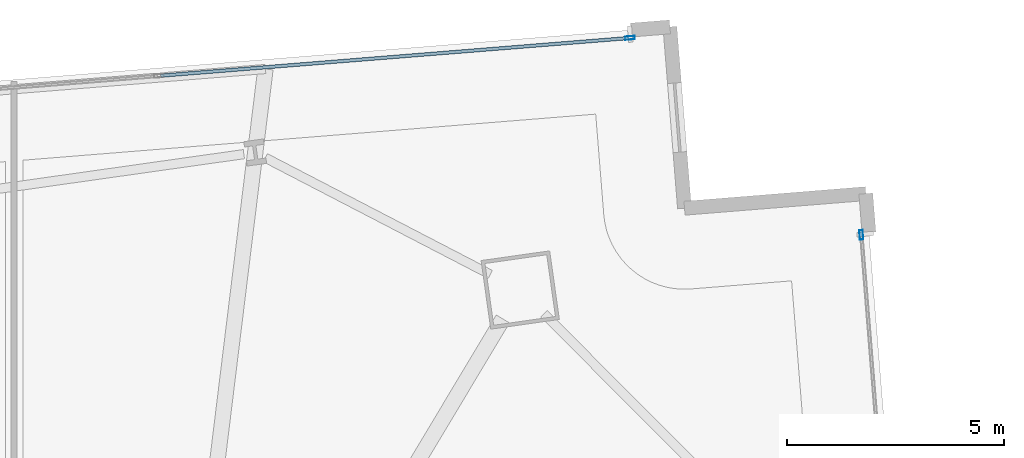
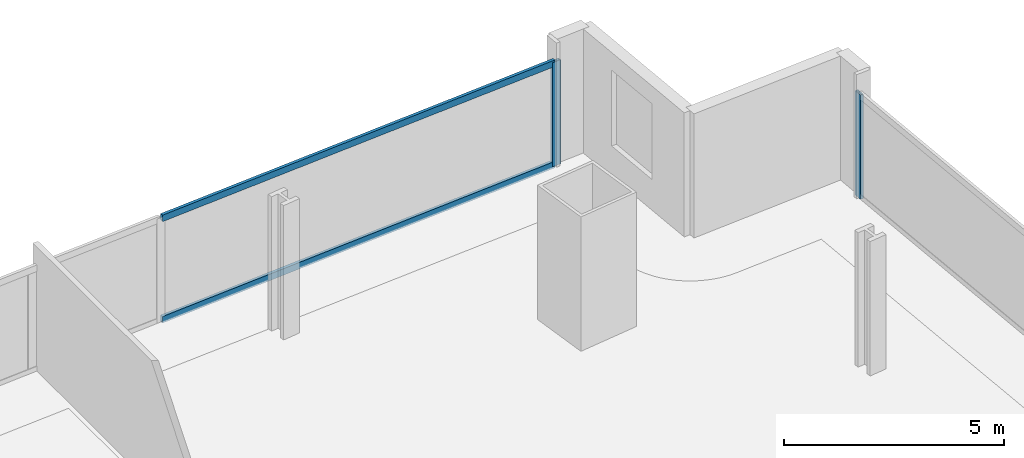
# One storey, part 23 of 33: 4 members, 2 elements without a shape of their own.
"""IFC4 building model written with IfcOpenShell, lengths in metres."""

from ifc_helpers import new_model, si_unit, direction, frame, origin, origin_2d, place, context, subcontext, project, spatial, hollow_rectangle, extrude, material, material_profile, profile_set, type_object, element, aggregate, save


model = new_model("IFC4")

# Units and contexts
model_context = context("Model", 3, precision=1e-05, world=origin(), true_north=direction((0.0, 1.0)))
body_context = subcontext(model_context, "Body", "Model", "MODEL_VIEW")
ifc_project = project(units=[si_unit("LENGTHUNIT", "METRE"), si_unit("AREAUNIT", "SQUARE_METRE"), si_unit("VOLUMEUNIT", "CUBIC_METRE"), si_unit("PLANEANGLEUNIT", "RADIAN"), si_unit("MASSUNIT", "GRAM", prefix="KILO")], contexts=[model_context])

# Site, building, storey
site_placement = place(None, origin())
site = spatial("IfcSite", under=ifc_project, at=site_placement, CompositionType="ELEMENT")
building_placement = place(site_placement, origin())
building = spatial("IfcBuilding", under=site, at=building_placement, Name="Haldenkirk Collegiate Tower", CompositionType="ELEMENT")
storey_placement = place(building_placement, frame((0.0, 0.0, 43.949951171875)))
storey = spatial("IfcBuildingStorey", under=building, at=storey_placement, Name="L09", CompositionType="ELEMENT", Elevation=43.949951171875)

# Curtain wall, member
ifc_material = material(Name="Anodised architectural bronze aluminium", Category="aluminium")
curtain_wall_type = type_object("IfcCurtainWallType", Name="CW-SYS1-CONVEX-LOW", PredefinedType="USERDEFINED", material=ifc_material)
curtain_wall_1_placement = place(storey_placement, origin())
curtain_wall_1 = element("IfcCurtainWall", 1, at=curtain_wall_1_placement, inside=storey, type_object=curtain_wall_type, Name="L09 Lower tower convex bronze-framed unitised curtain wall", ObjectType="UNITISED CURTAIN WALL", PredefinedType="USERDEFINED")
ifc_material_profile_1 = material_profile(ifc_material, hollow_rectangle(XDim=0.080078125, YDim=0.219970703125, WallThickness=0.0048828125, at=origin_2d()), Name="CW-MUL-1A")
ifc_profile_set_1 = profile_set([ifc_material_profile_1], Name="Anodised architectural bronze aluminium")
member_type_1 = type_object("IfcMemberType", Name="CW-MUL-1A", PredefinedType="MULLION", material=ifc_profile_set_1)
member_1_placement = place(storey_placement, frame((61.060791015625, 48.94384765625, 0.0), z_axis=(0.0, 0.0, 1.0), x_axis=(0.996778913457, 0.080198489315, 0.0)))
member_1 = element("IfcMember", 2, at=member_1_placement, type_object=member_type_1, Name="CW-1A mullion 1", PredefinedType="MULLION", context=body_context, shape_type="SweptSolid", body=[
    extrude(hollow_rectangle(XDim=0.080078125, YDim=0.219970703125, WallThickness=0.0048828125, at=origin_2d()), origin(), (0.0, 0.0, 1.0), 2.89111328125),
])
aggregate(curtain_wall_1, [member_1])

# Curtain wall, members
curtain_wall_2_placement = place(storey_placement, origin())
curtain_wall_2 = element("IfcCurtainWall", 3, at=curtain_wall_2_placement, inside=storey, type_object=curtain_wall_type, Name="L09 Lower tower convex bronze-framed unitised curtain wall", ObjectType="UNITISED CURTAIN WALL", PredefinedType="USERDEFINED")
member_2_placement = place(storey_placement, frame((55.71875, 53.489990234375, 0.0), z_axis=(0.0, 0.0, 1.0), x_axis=(-0.08019865918, 0.99677889979, 0.0)))
member_2 = element("IfcMember", 4, at=member_2_placement, type_object=member_type_1, Name="CW-1A mullion 5", PredefinedType="MULLION", context=body_context, shape_type="SweptSolid", body=[
    extrude(hollow_rectangle(XDim=0.080078125, YDim=0.219970703125, WallThickness=0.0048828125, at=origin_2d()), origin(), (0.0, 0.0, 1.0), 2.89111328125),
])
ifc_material_profile_2 = material_profile(ifc_material, hollow_rectangle(XDim=0.080078125, YDim=0.179931640625, WallThickness=0.0048828125, at=origin_2d()), Name="CW-TRN-1A")
ifc_profile_set_2 = profile_set([ifc_material_profile_2], Name="Anodised architectural bronze aluminium")
member_type_2 = type_object("IfcMemberType", Name="CW-TRN-1A", PredefinedType="USERDEFINED", material=ifc_profile_set_2)
member_3_placement = place(storey_placement, frame((44.8837890625, 52.6181640625, 0.0400390625), z_axis=(0.996778185242, 0.080207539704, 0.0), x_axis=(-0.080207539704, 0.996778185242, 0.0)))
member_3 = element("IfcMember", 5, at=member_3_placement, type_object=member_type_2, Name="CW-1A transom 4.1", ObjectType="TRANSOM", PredefinedType="USERDEFINED", context=body_context, shape_type="SweptSolid", body=[
    extrude(hollow_rectangle(XDim=0.080078125, YDim=0.179931640625, WallThickness=0.0048828125, at=origin_2d()), origin(), (0.0, 0.0, 1.0), 10.830078125),
])
member_4_placement = place(storey_placement, frame((44.8837890625, 52.6181640625, 2.85107421875), z_axis=(0.996778185242, 0.080207539704, 0.0), x_axis=(-0.080207539704, 0.996778185242, 0.0)))
member_4 = element("IfcMember", 6, at=member_4_placement, type_object=member_type_2, Name="CW-1A transom 4.2", ObjectType="TRANSOM", PredefinedType="USERDEFINED", context=body_context, shape_type="SweptSolid", body=[
    extrude(hollow_rectangle(XDim=0.080078125, YDim=0.179931640625, WallThickness=0.0048828125, at=origin_2d()), origin(), (0.0, 0.0, 1.0), 10.830078125),
])
aggregate(curtain_wall_2, [member_2, member_3, member_4])

save(model, "model.ifc")
